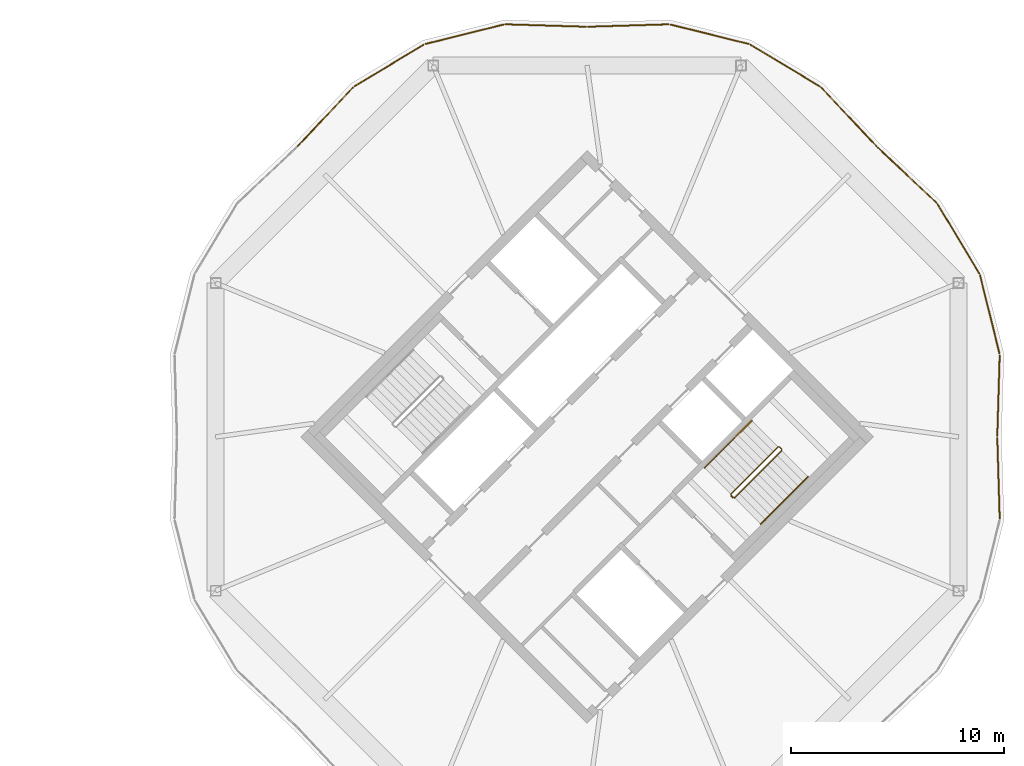
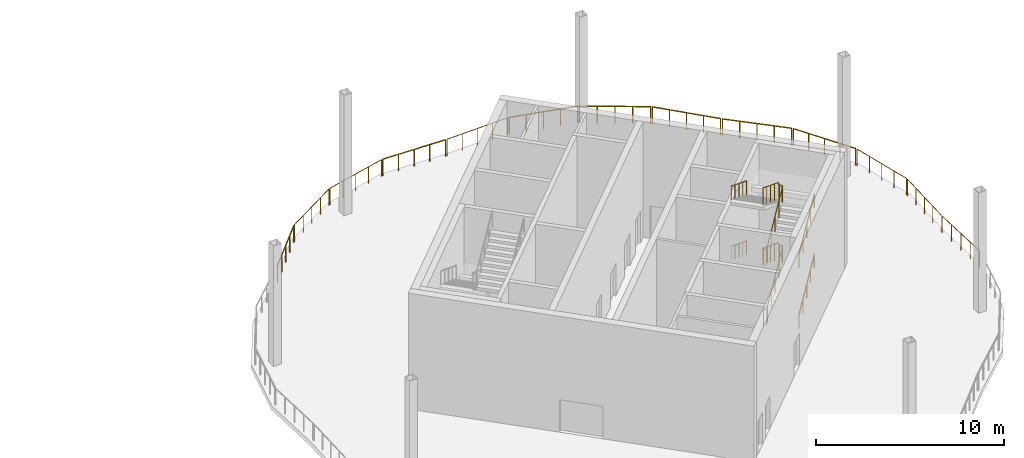
# One storey, part 12 of 12: 18 railings.
"""IFC4 building model written with IfcOpenShell, lengths in metres."""

from ifc_helpers import new_model, si_unit, direction, frame, origin, origin_2d, place, context, subcontext, project, spatial, circle, extrude, material, type_object, element, save


model = new_model("IFC4")

# Units and contexts
model_context = context("Model", 3, precision=1e-05, world=origin(), true_north=direction((0.0, 1.0)))
body_context = subcontext(model_context, "Body", "Model", "MODEL_VIEW")
ifc_project = project(units=[si_unit("LENGTHUNIT", "METRE"), si_unit("AREAUNIT", "SQUARE_METRE"), si_unit("VOLUMEUNIT", "CUBIC_METRE"), si_unit("PLANEANGLEUNIT", "RADIAN"), si_unit("MASSUNIT", "GRAM", prefix="KILO")], contexts=[model_context])

# Site, building, storey
site_placement = place(None, origin())
site = spatial("IfcSite", under=ifc_project, at=site_placement, CompositionType="ELEMENT")
building_placement = place(site_placement, origin())
building = spatial("IfcBuilding", under=site, at=building_placement, Name="Ogive Gate Towers", CompositionType="ELEMENT")
storey_placement = place(building_placement, frame((0.0, 0.0, 248.39990234375)))
storey = spatial("IfcBuildingStorey", under=building, at=storey_placement, Name="L59", CompositionType="ELEMENT", Elevation=248.39990234375)

# Railings
ifc_material = material(Name="Stainless steel", Category="steel")
railing_type_1 = type_object("IfcRailingType", Name="Guard 1100", PredefinedType="GUARDRAIL", material=ifc_material)
railing_1_placement = place(storey_placement, frame((55.241455078125, 0.050048828125, 0.0)))
element("IfcRailing", 1, at=railing_1_placement, inside=storey, type_object=railing_type_1, Name="Wind floor guard", PredefinedType="GUARDRAIL", context=body_context, shape_type="SweptSolid", body=[
    extrude(circle(Radius=0.02392578125, at=origin_2d()), frame((0.0, 0.0, 1.076171875), z_axis=(0.029981333403, 0.99955045878, 0.0), x_axis=(-0.99955045878, 0.029981333403, 0.0)), (0.0, 0.0, 1.0), 3.770263671875),
    extrude(circle(Radius=0.02099609375, at=origin_2d()), origin(), (0.0, 0.0, 1.0), 1.052001953125),
    extrude(circle(Radius=0.02099609375, at=origin_2d()), frame((0.0283203125, 0.942138671875, 0.0)), (0.0, 0.0, 1.0), 1.052001953125),
    extrude(circle(Radius=0.02099609375, at=origin_2d()), frame((0.056640625, 1.88427734375, 0.0)), (0.0, 0.0, 1.0), 1.052001953125),
    extrude(circle(Radius=0.02099609375, at=origin_2d()), frame((0.084716796875, 2.826416015625, 0.0)), (0.0, 0.0, 1.0), 1.052001953125),
    extrude(circle(Radius=0.02099609375, at=origin_2d()), frame((0.113037109375, 3.7685546875, 0.0)), (0.0, 0.0, 1.0), 1.052001953125),
])
railing_2_placement = place(storey_placement, frame((55.343994140625, 3.9169921875, 0.0)))
element("IfcRailing", 2, at=railing_2_placement, inside=storey, type_object=railing_type_1, Name="Wind floor guard", PredefinedType="GUARDRAIL", context=body_context, shape_type="SweptSolid", body=[
    extrude(circle(Radius=0.02392578125, at=origin_2d()), frame((0.0, 0.0, 1.076171875), z_axis=(-0.241485792873, 0.970404354813, 0.0), x_axis=(-0.970404354813, -0.241485792873, 0.0)), (0.0, 0.0, 1.0), 3.776123046875),
    extrude(circle(Radius=0.02099609375, at=origin_2d()), origin(), (0.0, 0.0, 1.0), 1.052001953125),
    extrude(circle(Radius=0.02099609375, at=origin_2d()), frame((-0.22802734375, 0.916015625, 0.0)), (0.0, 0.0, 1.0), 1.052001953125),
    extrude(circle(Radius=0.02099609375, at=origin_2d()), frame((-0.4560546875, 1.83203125, 0.0)), (0.0, 0.0, 1.0), 1.052001953125),
    extrude(circle(Radius=0.02099609375, at=origin_2d()), frame((-0.683837890625, 2.748291015625, 0.0)), (0.0, 0.0, 1.0), 1.052001953125),
    extrude(circle(Radius=0.02099609375, at=origin_2d()), frame((-0.911865234375, 3.664306640625, 0.0)), (0.0, 0.0, 1.0), 1.052001953125),
])
railing_3_placement = place(storey_placement, frame((54.394287109375, 7.672607421875, 0.0)))
element("IfcRailing", 3, at=railing_3_placement, inside=storey, type_object=railing_type_1, Name="Wind floor guard", PredefinedType="GUARDRAIL", context=body_context, shape_type="SweptSolid", body=[
    extrude(circle(Radius=0.02392578125, at=origin_2d()), frame((0.0, 0.0, 1.076171875), z_axis=(-0.515427239943, 0.856933346489, 0.0), x_axis=(-0.856933346489, -0.515427239943, 0.0)), (0.0, 0.0, 1.0), 3.776123046875),
    extrude(circle(Radius=0.02099609375, at=origin_2d()), origin(), (0.0, 0.0, 1.0), 1.052001953125),
    extrude(circle(Radius=0.02099609375, at=origin_2d()), frame((-0.486572265625, 0.80908203125, 0.0)), (0.0, 0.0, 1.0), 1.052001953125),
    extrude(circle(Radius=0.02099609375, at=origin_2d()), frame((-0.97314453125, 1.617919921875, 0.0)), (0.0, 0.0, 1.0), 1.052001953125),
    extrude(circle(Radius=0.02099609375, at=origin_2d()), frame((-1.459716796875, 2.4267578125, 0.0)), (0.0, 0.0, 1.0), 1.052001953125),
    extrude(circle(Radius=0.02099609375, at=origin_2d()), frame((-1.9462890625, 3.23583984375, 0.0)), (0.0, 0.0, 1.0), 1.052001953125),
])
railing_4_placement = place(storey_placement, frame((52.385986328125, 10.985595703125, 0.0)))
element("IfcRailing", 4, at=railing_4_placement, inside=storey, type_object=railing_type_1, Name="Wind floor guard", PredefinedType="GUARDRAIL", context=body_context, shape_type="SweptSolid", body=[
    extrude(circle(Radius=0.02392578125, at=origin_2d()), frame((0.0, 0.0, 1.076171875), z_axis=(-0.728026975857, 0.685548482913, 0.0), x_axis=(-0.685548482913, -0.728026975857, 0.0)), (0.0, 0.0, 1.0), 3.770263671875),
    extrude(circle(Radius=0.02099609375, at=origin_2d()), origin(), (0.0, 0.0, 1.0), 1.052001953125),
    extrude(circle(Radius=0.02099609375, at=origin_2d()), frame((-0.686279296875, 0.646240234375, 0.0)), (0.0, 0.0, 1.0), 1.052001953125),
    extrude(circle(Radius=0.02099609375, at=origin_2d()), frame((-1.37255859375, 1.29248046875, 0.0)), (0.0, 0.0, 1.0), 1.052001953125),
    extrude(circle(Radius=0.02099609375, at=origin_2d()), frame((-2.05859375, 1.9384765625, 0.0)), (0.0, 0.0, 1.0), 1.052001953125),
    extrude(circle(Radius=0.02099609375, at=origin_2d()), frame((-2.744873046875, 2.584716796875, 0.0)), (0.0, 0.0, 1.0), 1.052001953125),
])
railing_5_placement = place(storey_placement, frame((49.5703125, 13.64111328125, 0.0)))
element("IfcRailing", 5, at=railing_5_placement, inside=storey, type_object=railing_type_1, Name="Wind floor guard", PredefinedType="GUARDRAIL", context=body_context, shape_type="SweptSolid", body=[
    extrude(circle(Radius=0.02392578125, at=origin_2d()), frame((0.0, 0.0, 1.076171875), z_axis=(-0.685548482913, 0.728026975857, 0.0), x_axis=(-0.728026975857, -0.685548482913, 0.0)), (0.0, 0.0, 1.0), 3.770263671875),
    extrude(circle(Radius=0.02099609375, at=origin_2d()), origin(), (0.0, 0.0, 1.0), 1.052001953125),
    extrude(circle(Radius=0.02099609375, at=origin_2d()), frame((-0.646240234375, 0.686279296875, 0.0)), (0.0, 0.0, 1.0), 1.052001953125),
    extrude(circle(Radius=0.02099609375, at=origin_2d()), frame((-1.29248046875, 1.37255859375, 0.0)), (0.0, 0.0, 1.0), 1.052001953125),
    extrude(circle(Radius=0.02099609375, at=origin_2d()), frame((-1.9384765625, 2.05859375, 0.0)), (0.0, 0.0, 1.0), 1.052001953125),
    extrude(circle(Radius=0.02099609375, at=origin_2d()), frame((-2.584716796875, 2.744873046875, 0.0)), (0.0, 0.0, 1.0), 1.052001953125),
])
railing_6_placement = place(storey_placement, frame((46.908447265625, 16.447998046875, 0.0)))
element("IfcRailing", 6, at=railing_6_placement, inside=storey, type_object=railing_type_1, Name="Wind floor guard", PredefinedType="GUARDRAIL", context=body_context, shape_type="SweptSolid", body=[
    extrude(circle(Radius=0.02392578125, at=origin_2d()), frame((0.0, 0.0, 1.076171875), z_axis=(-0.856933346489, 0.515427239943, 0.0), x_axis=(-0.515427239943, -0.856933346489, 0.0)), (0.0, 0.0, 1.0), 3.776123046875),
    extrude(circle(Radius=0.02099609375, at=origin_2d()), origin(), (0.0, 0.0, 1.0), 1.052001953125),
    extrude(circle(Radius=0.02099609375, at=origin_2d()), frame((-0.80908203125, 0.486572265625, 0.0)), (0.0, 0.0, 1.0), 1.052001953125),
    extrude(circle(Radius=0.02099609375, at=origin_2d()), frame((-1.617919921875, 0.97314453125, 0.0)), (0.0, 0.0, 1.0), 1.052001953125),
    extrude(circle(Radius=0.02099609375, at=origin_2d()), frame((-2.4267578125, 1.459716796875, 0.0)), (0.0, 0.0, 1.0), 1.052001953125),
    extrude(circle(Radius=0.02099609375, at=origin_2d()), frame((-3.23583984375, 1.9462890625, 0.0)), (0.0, 0.0, 1.0), 1.052001953125),
])
railing_7_placement = place(storey_placement, frame((43.581298828125, 18.43212890625, 0.0)))
element("IfcRailing", 7, at=railing_7_placement, inside=storey, type_object=railing_type_1, Name="Wind floor guard", PredefinedType="GUARDRAIL", context=body_context, shape_type="SweptSolid", body=[
    extrude(circle(Radius=0.02392578125, at=origin_2d()), frame((0.0, 0.0, 1.076171875), z_axis=(-0.970404354813, 0.241485792873, 0.0), x_axis=(-0.241485792873, -0.970404354813, 0.0)), (0.0, 0.0, 1.0), 3.776123046875),
    extrude(circle(Radius=0.02099609375, at=origin_2d()), origin(), (0.0, 0.0, 1.0), 1.052001953125),
    extrude(circle(Radius=0.02099609375, at=origin_2d()), frame((-0.916015625, 0.22802734375, 0.0)), (0.0, 0.0, 1.0), 1.052001953125),
    extrude(circle(Radius=0.02099609375, at=origin_2d()), frame((-1.83203125, 0.4560546875, 0.0)), (0.0, 0.0, 1.0), 1.052001953125),
    extrude(circle(Radius=0.02099609375, at=origin_2d()), frame((-2.748291015625, 0.683837890625, 0.0)), (0.0, 0.0, 1.0), 1.052001953125),
    extrude(circle(Radius=0.02099609375, at=origin_2d()), frame((-3.664306640625, 0.911865234375, 0.0)), (0.0, 0.0, 1.0), 1.052001953125),
])
railing_8_placement = place(storey_placement, frame((39.818603515625, 19.3544921875, 0.0)))
element("IfcRailing", 8, at=railing_8_placement, inside=storey, type_object=railing_type_1, Name="Wind floor guard", PredefinedType="GUARDRAIL", context=body_context, shape_type="SweptSolid", body=[
    extrude(circle(Radius=0.02392578125, at=origin_2d()), frame((0.0, 0.0, 1.076171875), z_axis=(-0.99955045878, -0.029981333403, 0.0), x_axis=(0.029981333403, -0.99955045878, 0.0)), (0.0, 0.0, 1.0), 3.770263671875),
    extrude(circle(Radius=0.02099609375, at=origin_2d()), origin(), (0.0, 0.0, 1.0), 1.052001953125),
    extrude(circle(Radius=0.02099609375, at=origin_2d()), frame((-0.942138671875, -0.0283203125, 0.0)), (0.0, 0.0, 1.0), 1.052001953125),
    extrude(circle(Radius=0.02099609375, at=origin_2d()), frame((-1.88427734375, -0.056640625, 0.0)), (0.0, 0.0, 1.0), 1.052001953125),
    extrude(circle(Radius=0.02099609375, at=origin_2d()), frame((-2.826416015625, -0.084716796875, 0.0)), (0.0, 0.0, 1.0), 1.052001953125),
    extrude(circle(Radius=0.02099609375, at=origin_2d()), frame((-3.7685546875, -0.113037109375, 0.0)), (0.0, 0.0, 1.0), 1.052001953125),
])
railing_9_placement = place(storey_placement, frame((35.949951171875, 19.241455078125, 0.0)))
element("IfcRailing", 9, at=railing_9_placement, inside=storey, type_object=railing_type_1, Name="Wind floor guard", PredefinedType="GUARDRAIL", context=body_context, shape_type="SweptSolid", body=[
    extrude(circle(Radius=0.02392578125, at=origin_2d()), frame((0.0, 0.0, 1.076171875), z_axis=(-0.99955045878, 0.029981333403, 0.0), x_axis=(-0.029981333403, -0.99955045878, 0.0)), (0.0, 0.0, 1.0), 3.770263671875),
    extrude(circle(Radius=0.02099609375, at=origin_2d()), origin(), (0.0, 0.0, 1.0), 1.052001953125),
    extrude(circle(Radius=0.02099609375, at=origin_2d()), frame((-0.942138671875, 0.0283203125, 0.0)), (0.0, 0.0, 1.0), 1.052001953125),
    extrude(circle(Radius=0.02099609375, at=origin_2d()), frame((-1.88427734375, 0.056640625, 0.0)), (0.0, 0.0, 1.0), 1.052001953125),
    extrude(circle(Radius=0.02099609375, at=origin_2d()), frame((-2.826416015625, 0.084716796875, 0.0)), (0.0, 0.0, 1.0), 1.052001953125),
    extrude(circle(Radius=0.02099609375, at=origin_2d()), frame((-3.7685546875, 0.113037109375, 0.0)), (0.0, 0.0, 1.0), 1.052001953125),
])
railing_10_placement = place(storey_placement, frame((32.0830078125, 19.343994140625, 0.0)))
element("IfcRailing", 10, at=railing_10_placement, inside=storey, type_object=railing_type_1, Name="Wind floor guard", PredefinedType="GUARDRAIL", context=body_context, shape_type="SweptSolid", body=[
    extrude(circle(Radius=0.02392578125, at=origin_2d()), frame((0.0, 0.0, 1.076171875), z_axis=(-0.970404354813, -0.241485792873, 0.0), x_axis=(0.241485792873, -0.970404354813, 0.0)), (0.0, 0.0, 1.0), 3.776123046875),
    extrude(circle(Radius=0.02099609375, at=origin_2d()), origin(), (0.0, 0.0, 1.0), 1.052001953125),
    extrude(circle(Radius=0.02099609375, at=origin_2d()), frame((-0.916015625, -0.22802734375, 0.0)), (0.0, 0.0, 1.0), 1.052001953125),
    extrude(circle(Radius=0.02099609375, at=origin_2d()), frame((-1.83203125, -0.4560546875, 0.0)), (0.0, 0.0, 1.0), 1.052001953125),
    extrude(circle(Radius=0.02099609375, at=origin_2d()), frame((-2.748291015625, -0.683837890625, 0.0)), (0.0, 0.0, 1.0), 1.052001953125),
    extrude(circle(Radius=0.02099609375, at=origin_2d()), frame((-3.664306640625, -0.911865234375, 0.0)), (0.0, 0.0, 1.0), 1.052001953125),
])
railing_11_placement = place(storey_placement, frame((28.327392578125, 18.394287109375, 0.0)))
element("IfcRailing", 11, at=railing_11_placement, inside=storey, type_object=railing_type_1, Name="Wind floor guard", PredefinedType="GUARDRAIL", context=body_context, shape_type="SweptSolid", body=[
    extrude(circle(Radius=0.02392578125, at=origin_2d()), frame((0.0, 0.0, 1.076171875), z_axis=(-0.856933346489, -0.515427239943, 0.0), x_axis=(0.515427239943, -0.856933346489, 0.0)), (0.0, 0.0, 1.0), 3.776123046875),
    extrude(circle(Radius=0.02099609375, at=origin_2d()), origin(), (0.0, 0.0, 1.0), 1.052001953125),
    extrude(circle(Radius=0.02099609375, at=origin_2d()), frame((-0.80908203125, -0.486572265625, 0.0)), (0.0, 0.0, 1.0), 1.052001953125),
    extrude(circle(Radius=0.02099609375, at=origin_2d()), frame((-1.617919921875, -0.97314453125, 0.0)), (0.0, 0.0, 1.0), 1.052001953125),
    extrude(circle(Radius=0.02099609375, at=origin_2d()), frame((-2.4267578125, -1.459716796875, 0.0)), (0.0, 0.0, 1.0), 1.052001953125),
    extrude(circle(Radius=0.02099609375, at=origin_2d()), frame((-3.23583984375, -1.9462890625, 0.0)), (0.0, 0.0, 1.0), 1.052001953125),
])
railing_12_placement = place(storey_placement, frame((25.014404296875, 16.385986328125, 0.0)))
element("IfcRailing", 12, at=railing_12_placement, inside=storey, type_object=railing_type_1, Name="Wind floor guard", PredefinedType="GUARDRAIL", context=body_context, shape_type="SweptSolid", body=[
    extrude(circle(Radius=0.02392578125, at=origin_2d()), frame((0.0, 0.0, 1.076171875), z_axis=(-0.685548482913, -0.728026975857, 0.0), x_axis=(0.728026975857, -0.685548482913, 0.0)), (0.0, 0.0, 1.0), 3.770263671875),
    extrude(circle(Radius=0.02099609375, at=origin_2d()), origin(), (0.0, 0.0, 1.0), 1.052001953125),
    extrude(circle(Radius=0.02099609375, at=origin_2d()), frame((-0.646240234375, -0.686279296875, 0.0)), (0.0, 0.0, 1.0), 1.052001953125),
    extrude(circle(Radius=0.02099609375, at=origin_2d()), frame((-1.29248046875, -1.37255859375, 0.0)), (0.0, 0.0, 1.0), 1.052001953125),
    extrude(circle(Radius=0.02099609375, at=origin_2d()), frame((-1.9384765625, -2.05859375, 0.0)), (0.0, 0.0, 1.0), 1.052001953125),
    extrude(circle(Radius=0.02099609375, at=origin_2d()), frame((-2.584716796875, -2.744873046875, 0.0)), (0.0, 0.0, 1.0), 1.052001953125),
])
railing_13_placement = place(storey_placement, frame((55.3544921875, -3.818603515625, 0.0)))
element("IfcRailing", 13, at=railing_13_placement, inside=storey, type_object=railing_type_1, Name="Wind floor guard", PredefinedType="GUARDRAIL", context=body_context, shape_type="SweptSolid", body=[
    extrude(circle(Radius=0.02392578125, at=origin_2d()), frame((0.0, 0.0, 1.076171875), z_axis=(-0.029981333403, 0.99955045878, 0.0), x_axis=(-0.99955045878, -0.029981333403, 0.0)), (0.0, 0.0, 1.0), 3.770263671875),
    extrude(circle(Radius=0.02099609375, at=origin_2d()), origin(), (0.0, 0.0, 1.0), 1.052001953125),
    extrude(circle(Radius=0.02099609375, at=origin_2d()), frame((-0.0283203125, 0.942138671875, 0.0)), (0.0, 0.0, 1.0), 1.052001953125),
    extrude(circle(Radius=0.02099609375, at=origin_2d()), frame((-0.056640625, 1.88427734375, 0.0)), (0.0, 0.0, 1.0), 1.052001953125),
    extrude(circle(Radius=0.02099609375, at=origin_2d()), frame((-0.084716796875, 2.826416015625, 0.0)), (0.0, 0.0, 1.0), 1.052001953125),
    extrude(circle(Radius=0.02099609375, at=origin_2d()), frame((-0.113037109375, 3.7685546875, 0.0)), (0.0, 0.0, 1.0), 1.052001953125),
])
railing_type_2 = type_object("IfcRailingType", Name="Stair guard 1100", PredefinedType="GUARDRAIL", material=ifc_material)
railing_14_placement = place(storey_placement, frame((42.84130859375, -2.8603515625, 0.0)))
element("IfcRailing", 14, at=railing_14_placement, inside=storey, type_object=railing_type_2, Name="L59 ST2 stair guard 1", PredefinedType="GUARDRAIL", context=body_context, shape_type="SweptSolid", body=[
    extrude(circle(Radius=0.02392578125, at=origin_2d()), frame((0.0, 0.0, 1.076171875), z_axis=(-0.707106781187, 0.707106781187, 0.0), x_axis=(-0.707106781187, -0.707106781187, 0.0)), (0.0, 0.0, 1.0), 0.14501953125),
    extrude(circle(Radius=0.02392578125, at=origin_2d()), frame((-0.1025390625, 0.1025390625, 1.076171875), z_axis=(0.645182954318, -0.382195826253, 0.661562775443), x_axis=(0.509669330572, 0.860370369942, 0.0)), (0.0, 0.0, 1.0), 0.268310546875),
    extrude(circle(Radius=0.02392578125, at=origin_2d()), frame((0.070556640625, 0.0, 1.25341796875), z_axis=(0.61558473135, 0.61558473135, 0.49204763698), x_axis=(-0.707106781187, 0.707106781187, 0.0)), (0.0, 0.0, 1.0), 3.602783203125),
    extrude(circle(Radius=0.02392578125, at=origin_2d()), frame((2.288330078125, 2.2177734375, 3.0263671875), z_axis=(0.0, 1.0, 0.0), x_axis=(-1.0, 0.0, 0.0)), (0.0, 0.0, 1.0), 0.07080078125),
    extrude(circle(Radius=0.02392578125, at=origin_2d()), frame((2.288330078125, 2.28857421875, 3.0263671875), z_axis=(-0.707106781187, 0.707106781187, 0.0), x_axis=(-0.707106781187, -0.707106781187, 0.0)), (0.0, 0.0, 1.0), 0.14501953125),
    extrude(circle(Radius=0.02392578125, at=origin_2d()), frame((2.185791015625, 2.39111328125, 3.0263671875), z_axis=(-0.369845645421, 0.0, 0.929093213065), x_axis=(0.0, -1.0, 0.0)), (0.0, 0.0, 1.0), 0.190673828125),
    extrude(circle(Radius=0.02392578125, at=origin_2d()), frame((2.115234375, 2.39111328125, 3.20361328125), z_axis=(-0.61558473135, -0.61558473135, 0.49204763698), x_axis=(0.707106781187, -0.707106781187, 0.0)), (0.0, 0.0, 1.0), 3.602783203125),
    extrude(circle(Radius=0.02392578125, at=origin_2d()), frame((-0.1025390625, 0.17333984375, 4.97607421875), z_axis=(0.509137664008, -0.860685098679, 0.0), x_axis=(0.860685098679, 0.509137664008, 0.0)), (0.0, 0.0, 1.0), 0.201416015625),
    extrude(circle(Radius=0.02392578125, at=origin_2d()), frame((0.0, 0.0, 4.97607421875), z_axis=(-0.707106781187, 0.707106781187, 0.0), x_axis=(-0.707106781187, -0.707106781187, 0.0)), (0.0, 0.0, 1.0), 0.14501953125),
    extrude(circle(Radius=0.02392578125, at=origin_2d()), frame((-0.1025390625, 0.1025390625, 4.97607421875), z_axis=(0.645571447971, -0.382425963537, 0.661050594114), x_axis=(0.509669330572, 0.860370369942, 0.0)), (0.0, 0.0, 1.0), 0.26806640625),
    extrude(circle(Radius=0.02392578125, at=origin_2d()), frame((0.070556640625, 0.0, 5.1533203125), z_axis=(0.61558473135, 0.61558473135, 0.49204763698), x_axis=(-0.707106781187, 0.707106781187, 0.0)), (0.0, 0.0, 1.0), 3.602783203125),
    extrude(circle(Radius=0.02392578125, at=origin_2d()), frame((2.288330078125, 2.2177734375, 6.92626953125), z_axis=(0.0, 1.0, 0.0), x_axis=(-1.0, 0.0, 0.0)), (0.0, 0.0, 1.0), 0.07080078125),
    extrude(circle(Radius=0.02392578125, at=origin_2d()), frame((2.288330078125, 2.28857421875, 6.92626953125), z_axis=(-0.707106781187, 0.707106781187, 0.0), x_axis=(-0.707106781187, -0.707106781187, 0.0)), (0.0, 0.0, 1.0), 0.14501953125),
    extrude(circle(Radius=0.02392578125, at=origin_2d()), frame((2.185791015625, 2.39111328125, 6.92626953125), z_axis=(-0.369845645421, 0.0, 0.929093213065), x_axis=(0.0, -1.0, 0.0)), (0.0, 0.0, 1.0), 0.190673828125),
    extrude(circle(Radius=0.02392578125, at=origin_2d()), frame((2.115234375, 2.39111328125, 7.103515625), z_axis=(-0.61558473135, -0.61558473135, 0.49204763698), x_axis=(0.707106781187, -0.707106781187, 0.0)), (0.0, 0.0, 1.0), 3.602783203125),
    extrude(circle(Radius=0.02099609375, at=origin_2d()), origin(), (0.0, 0.0, 1.0), 1.052001953125),
    extrude(circle(Radius=0.02099609375, at=origin_2d()), frame((-0.1025390625, 0.1025390625, 0.0)), (0.0, 0.0, 1.0), 1.052001953125),
    extrude(circle(Radius=0.02099609375, at=origin_2d()), frame((0.070556640625, 0.0, 0.177490234375)), (0.0, 0.0, 1.0), 1.052001953125),
    extrude(circle(Radius=0.02099609375, at=origin_2d()), frame((0.625, 0.554443359375, 0.62060546875)), (0.0, 0.0, 1.0), 1.052001953125),
    extrude(circle(Radius=0.02099609375, at=origin_2d()), frame((1.179443359375, 1.10888671875, 1.06396484375)), (0.0, 0.0, 1.0), 1.052001953125),
    extrude(circle(Radius=0.02099609375, at=origin_2d()), frame((1.73388671875, 1.663330078125, 1.507080078125)), (0.0, 0.0, 1.0), 1.052001953125),
    extrude(circle(Radius=0.02099609375, at=origin_2d()), frame((2.288330078125, 2.2177734375, 1.9501953125)), (0.0, 0.0, 1.0), 1.052001953125),
    extrude(circle(Radius=0.02099609375, at=origin_2d()), frame((2.288330078125, 2.28857421875, 1.9501953125)), (0.0, 0.0, 1.0), 1.052001953125),
    extrude(circle(Radius=0.02099609375, at=origin_2d()), frame((2.185791015625, 2.39111328125, 1.9501953125)), (0.0, 0.0, 1.0), 1.052001953125),
    extrude(circle(Radius=0.02099609375, at=origin_2d()), frame((2.115234375, 2.39111328125, 2.12744140625)), (0.0, 0.0, 1.0), 1.052001953125),
    extrude(circle(Radius=0.02099609375, at=origin_2d()), frame((1.560791015625, 1.836669921875, 2.570556640625)), (0.0, 0.0, 1.0), 1.052001953125),
    extrude(circle(Radius=0.02099609375, at=origin_2d()), frame((1.00634765625, 1.2822265625, 3.013671875)), (0.0, 0.0, 1.0), 1.052001953125),
    extrude(circle(Radius=0.02099609375, at=origin_2d()), frame((0.451904296875, 0.727783203125, 3.45703125)), (0.0, 0.0, 1.0), 1.052001953125),
    extrude(circle(Radius=0.02099609375, at=origin_2d()), frame((-0.1025390625, 0.17333984375, 3.900146484375)), (0.0, 0.0, 1.0), 1.052001953125),
    extrude(circle(Radius=0.02099609375, at=origin_2d()), frame((0.0, 0.0, 3.900146484375)), (0.0, 0.0, 1.0), 1.052001953125),
    extrude(circle(Radius=0.02099609375, at=origin_2d()), frame((-0.1025390625, 0.1025390625, 3.900146484375)), (0.0, 0.0, 1.0), 1.052001953125),
    extrude(circle(Radius=0.02099609375, at=origin_2d()), frame((0.070556640625, 0.0, 4.077392578125)), (0.0, 0.0, 1.0), 1.052001953125),
    extrude(circle(Radius=0.02099609375, at=origin_2d()), frame((0.625, 0.554443359375, 4.5205078125)), (0.0, 0.0, 1.0), 1.052001953125),
    extrude(circle(Radius=0.02099609375, at=origin_2d()), frame((1.179443359375, 1.10888671875, 4.9638671875)), (0.0, 0.0, 1.0), 1.052001953125),
    extrude(circle(Radius=0.02099609375, at=origin_2d()), frame((1.73388671875, 1.663330078125, 5.406982421875)), (0.0, 0.0, 1.0), 1.052001953125),
    extrude(circle(Radius=0.02099609375, at=origin_2d()), frame((2.288330078125, 2.2177734375, 5.85009765625)), (0.0, 0.0, 1.0), 1.052001953125),
    extrude(circle(Radius=0.02099609375, at=origin_2d()), frame((2.288330078125, 2.28857421875, 5.85009765625)), (0.0, 0.0, 1.0), 1.052001953125),
    extrude(circle(Radius=0.02099609375, at=origin_2d()), frame((2.185791015625, 2.39111328125, 5.85009765625)), (0.0, 0.0, 1.0), 1.052001953125),
    extrude(circle(Radius=0.02099609375, at=origin_2d()), frame((2.115234375, 2.39111328125, 6.02734375)), (0.0, 0.0, 1.0), 1.052001953125),
    extrude(circle(Radius=0.02099609375, at=origin_2d()), frame((1.560791015625, 1.836669921875, 6.470458984375)), (0.0, 0.0, 1.0), 1.052001953125),
    extrude(circle(Radius=0.02099609375, at=origin_2d()), frame((1.00634765625, 1.2822265625, 6.91357421875)), (0.0, 0.0, 1.0), 1.052001953125),
    extrude(circle(Radius=0.02099609375, at=origin_2d()), frame((0.451904296875, 0.727783203125, 7.35693359375)), (0.0, 0.0, 1.0), 1.052001953125),
    extrude(circle(Radius=0.02099609375, at=origin_2d()), frame((-0.1025390625, 0.17333984375, 7.800048828125)), (0.0, 0.0, 1.0), 1.052001953125),
])
railing_type_3 = type_object("IfcRailingType", Name="Stair handrail 900", PredefinedType="HANDRAIL", material=ifc_material)
railing_15_placement = place(storey_placement, frame((44.142333984375, -4.090576171875, 0.177490234375)))
element("IfcRailing", 15, at=railing_15_placement, inside=storey, type_object=railing_type_3, Name="L59 ST2 stair handrail 1", PredefinedType="HANDRAIL", context=body_context, shape_type="SweptSolid", body=[
    extrude(circle(Radius=0.02392578125, at=origin_2d()), frame((0.0, 0.0, 0.8759765625), z_axis=(0.61558473135, 0.61558473135, 0.49204763698), x_axis=(-0.707106781187, 0.707106781187, 0.0)), (0.0, 0.0, 1.0), 3.602783203125),
    extrude(circle(Radius=0.02099609375, at=origin_2d()), origin(), (0.0, 0.0, 1.0), 0.851806640625),
    extrude(circle(Radius=0.02099609375, at=origin_2d()), frame((0.554443359375, 0.554443359375, 0.443115234375)), (0.0, 0.0, 1.0), 0.851806640625),
    extrude(circle(Radius=0.02099609375, at=origin_2d()), frame((1.10888671875, 1.10888671875, 0.88623046875)), (0.0, 0.0, 1.0), 0.851806640625),
    extrude(circle(Radius=0.02099609375, at=origin_2d()), frame((1.663330078125, 1.663330078125, 1.32958984375)), (0.0, 0.0, 1.0), 0.851806640625),
    extrude(circle(Radius=0.02099609375, at=origin_2d()), frame((2.2177734375, 2.2177734375, 1.772705078125)), (0.0, 0.0, 1.0), 0.851806640625),
])
railing_16_placement = place(storey_placement, frame((43.72607421875, 0.760986328125, 2.12744140625)))
element("IfcRailing", 16, at=railing_16_placement, inside=storey, type_object=railing_type_3, Name="L59 ST2 stair handrail 2", PredefinedType="HANDRAIL", context=body_context, shape_type="SweptSolid", body=[
    extrude(circle(Radius=0.02392578125, at=origin_2d()), frame((0.0, 0.0, 0.8759765625), z_axis=(-0.615610411033, -0.615542642384, 0.4920681632), x_axis=(0.70706785752, -0.70714570271, 0.0)), (0.0, 0.0, 1.0), 3.6025390625),
    extrude(circle(Radius=0.02099609375, at=origin_2d()), origin(), (0.0, 0.0, 1.0), 0.851806640625),
    extrude(circle(Radius=0.02099609375, at=origin_2d()), frame((-0.554443359375, -0.554443359375, 0.443115234375)), (0.0, 0.0, 1.0), 0.851806640625),
    extrude(circle(Radius=0.02099609375, at=origin_2d()), frame((-1.10888671875, -1.10888671875, 0.88623046875)), (0.0, 0.0, 1.0), 0.851806640625),
    extrude(circle(Radius=0.02099609375, at=origin_2d()), frame((-1.663330078125, -1.6630859375, 1.32958984375)), (0.0, 0.0, 1.0), 0.851806640625),
    extrude(circle(Radius=0.02099609375, at=origin_2d()), frame((-2.2177734375, -2.217529296875, 1.772705078125)), (0.0, 0.0, 1.0), 0.851806640625),
])
railing_17_placement = place(storey_placement, frame((44.142333984375, -4.090576171875, 4.077392578125)))
element("IfcRailing", 17, at=railing_17_placement, inside=storey, type_object=railing_type_3, Name="L59 ST2 stair handrail 3", PredefinedType="HANDRAIL", context=body_context, shape_type="SweptSolid", body=[
    extrude(circle(Radius=0.02392578125, at=origin_2d()), frame((0.0, 0.0, 0.8759765625), z_axis=(0.61558473135, 0.61558473135, 0.49204763698), x_axis=(-0.707106781187, 0.707106781187, 0.0)), (0.0, 0.0, 1.0), 3.602783203125),
    extrude(circle(Radius=0.02099609375, at=origin_2d()), origin(), (0.0, 0.0, 1.0), 0.851806640625),
    extrude(circle(Radius=0.02099609375, at=origin_2d()), frame((0.554443359375, 0.554443359375, 0.443115234375)), (0.0, 0.0, 1.0), 0.851806640625),
    extrude(circle(Radius=0.02099609375, at=origin_2d()), frame((1.10888671875, 1.10888671875, 0.88623046875)), (0.0, 0.0, 1.0), 0.851806640625),
    extrude(circle(Radius=0.02099609375, at=origin_2d()), frame((1.663330078125, 1.663330078125, 1.32958984375)), (0.0, 0.0, 1.0), 0.851806640625),
    extrude(circle(Radius=0.02099609375, at=origin_2d()), frame((2.2177734375, 2.2177734375, 1.772705078125)), (0.0, 0.0, 1.0), 0.851806640625),
])
railing_18_placement = place(storey_placement, frame((43.72607421875, 0.760986328125, 6.02734375)))
element("IfcRailing", 18, at=railing_18_placement, inside=storey, type_object=railing_type_3, Name="L59 ST2 stair handrail 4", PredefinedType="HANDRAIL", context=body_context, shape_type="SweptSolid", body=[
    extrude(circle(Radius=0.02392578125, at=origin_2d()), frame((0.0, 0.0, 0.8759765625), z_axis=(-0.615610411033, -0.615542642384, 0.4920681632), x_axis=(0.70706785752, -0.70714570271, 0.0)), (0.0, 0.0, 1.0), 3.6025390625),
    extrude(circle(Radius=0.02099609375, at=origin_2d()), origin(), (0.0, 0.0, 1.0), 0.851806640625),
    extrude(circle(Radius=0.02099609375, at=origin_2d()), frame((-0.554443359375, -0.554443359375, 0.443115234375)), (0.0, 0.0, 1.0), 0.851806640625),
    extrude(circle(Radius=0.02099609375, at=origin_2d()), frame((-1.10888671875, -1.10888671875, 0.88623046875)), (0.0, 0.0, 1.0), 0.851806640625),
    extrude(circle(Radius=0.02099609375, at=origin_2d()), frame((-1.663330078125, -1.6630859375, 1.32958984375)), (0.0, 0.0, 1.0), 0.851806640625),
    extrude(circle(Radius=0.02099609375, at=origin_2d()), frame((-2.2177734375, -2.217529296875, 1.772705078125)), (0.0, 0.0, 1.0), 0.851806640625),
])

save(model, "model.ifc")
